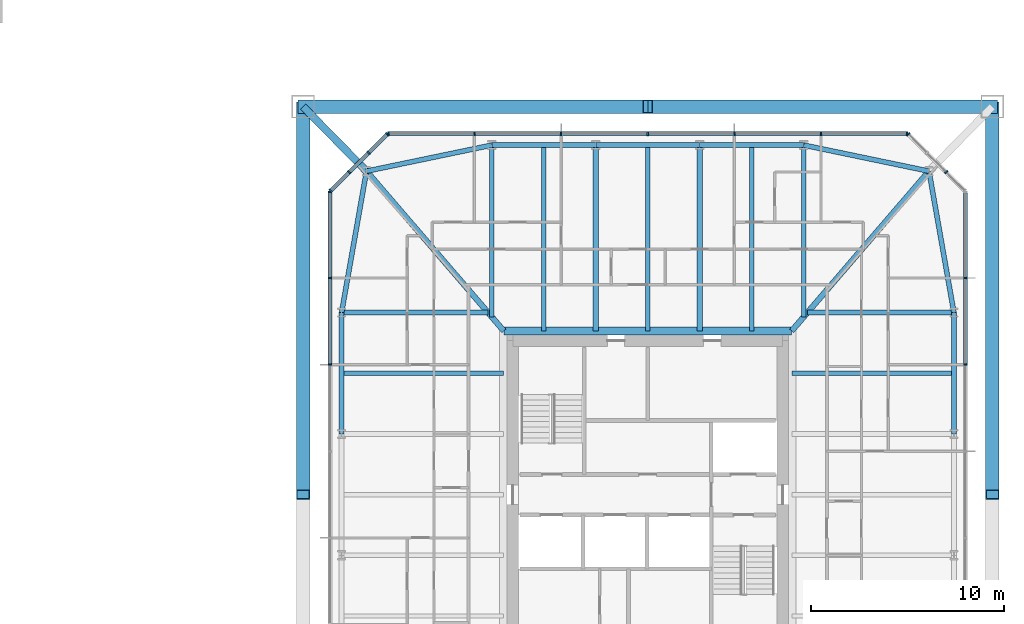
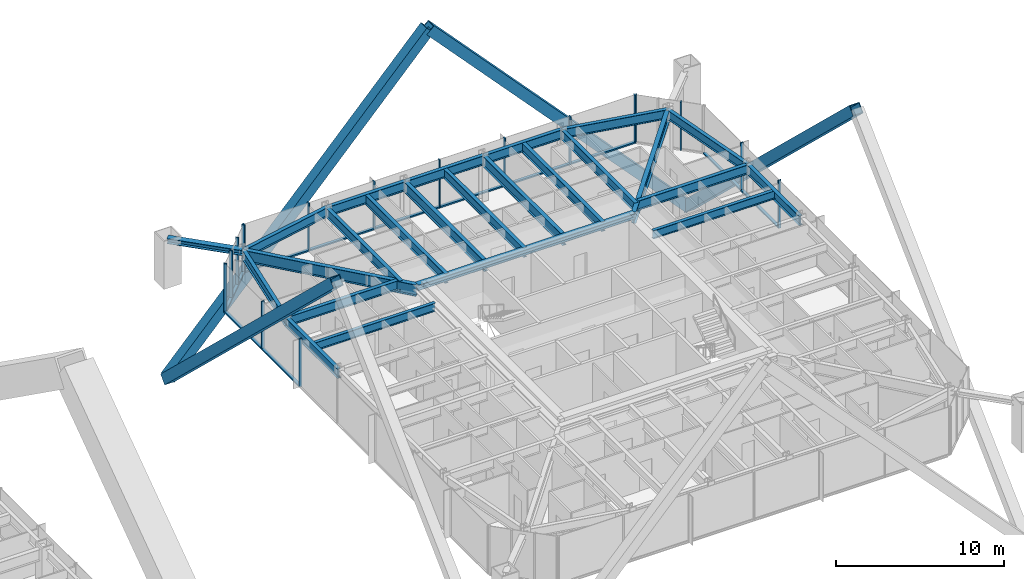
# One storey, part 12 of 28: 36 members, 23 beams, 5 elements without a shape of their own.
"""IFC4 building model written with IfcOpenShell, lengths in metres."""

from ifc_helpers import new_model, si_unit, direction, frame, origin, origin_2d, place, context, subcontext, project, spatial, rectangle, hollow_rectangle, i_section, extrude, material, material_profile, profile_set, type_object, element, aggregate, save


model = new_model("IFC4")

# Units and contexts
model_context = context("Model", 3, precision=1e-05, world=origin(), true_north=direction((0.0, 1.0)))
body_context = subcontext(model_context, "Body", "Model", "MODEL_VIEW")
ifc_project = project(units=[si_unit("LENGTHUNIT", "METRE"), si_unit("AREAUNIT", "SQUARE_METRE"), si_unit("VOLUMEUNIT", "CUBIC_METRE"), si_unit("PLANEANGLEUNIT", "RADIAN"), si_unit("MASSUNIT", "GRAM", prefix="KILO")], contexts=[model_context])

# Site, building, storey
site_placement = place(None, origin())
site = spatial("IfcSite", under=ifc_project, at=site_placement, CompositionType="ELEMENT")
building_placement = place(site_placement, origin())
building = spatial("IfcBuilding", under=site, at=building_placement, Name="Iwan Alto Co-Living Towers", CompositionType="ELEMENT")
storey_placement = place(building_placement, frame((0.0, 0.0, 43.0)))
storey = spatial("IfcBuildingStorey", under=building, at=storey_placement, Name="L11", CompositionType="ELEMENT", Elevation=43.0)

# Curtain wall, members
ifc_material_1 = material(Name="Bronze aluminium unitised frame", Category="aluminium")
curtain_wall_type_1 = type_object("IfcCurtainWallType", Name="CURTAIN WALL CW-C", PredefinedType="NOTDEFINED", material=ifc_material_1)
curtain_wall_1_placement = place(storey_placement, origin())
curtain_wall_1 = element("IfcCurtainWall", 1, at=curtain_wall_1_placement, inside=storey, type_object=curtain_wall_type_1, Name="T2 curtain wall E L11", PredefinedType="NOTDEFINED")
ifc_material_2 = material(Name="Aluminium 6063-T6 bronze anodised", Category="aluminium")
ifc_material_profile_1 = material_profile(ifc_material_2, rectangle(XDim=0.199951171875, YDim=0.080078125, at=origin_2d()), Name="AL 80X200")
ifc_profile_set_1 = profile_set([ifc_material_profile_1], Name="Aluminium 6063-T6 bronze anodised")
member_type_1 = type_object("IfcMemberType", Name="CW-C MULLION 80X200", PredefinedType="MULLION", material=ifc_profile_set_1)
member_1_placement = place(storey_placement, frame((79.5, 6.75, 0.0), z_axis=(0.0, 0.0, 1.0), x_axis=(-1.0, 0.0, 0.0)))
member_1 = element("IfcMember", 2, at=member_1_placement, type_object=member_type_1, Name="CW-C mullion 6", PredefinedType="MULLION", context=body_context, shape_type="SweptSolid", body=[
    extrude(rectangle(XDim=0.199951171875, YDim=0.080078125, at=origin_2d()), origin(), (0.0, 0.0, 1.0), 3.5),
])
member_2_placement = place(storey_placement, frame((79.5, 11.25, 0.0), z_axis=(0.0, 0.0, 1.0), x_axis=(-1.0, 0.0, 0.0)))
member_2 = element("IfcMember", 3, at=member_2_placement, type_object=member_type_1, Name="CW-C mullion 7", PredefinedType="MULLION", context=body_context, shape_type="SweptSolid", body=[
    extrude(rectangle(XDim=0.199951171875, YDim=0.080078125, at=origin_2d()), origin(), (0.0, 0.0, 1.0), 3.5),
])

curtain_wall_2_placement = place(storey_placement, origin())
curtain_wall_2 = element("IfcCurtainWall", 4, at=curtain_wall_2_placement, inside=storey, type_object=curtain_wall_type_1, Name="T2 curtain wall N L11", PredefinedType="NOTDEFINED")
member_3_placement = place(storey_placement, frame((76.4599609375, 18.75, 0.0), z_axis=(0.0, 0.0, 1.0), x_axis=(0.0, -1.0, 0.0)))
member_3 = element("IfcMember", 5, at=member_3_placement, type_object=member_type_1, Name="CW-C mullion 1", PredefinedType="MULLION", context=body_context, shape_type="SweptSolid", body=[
    extrude(rectangle(XDim=0.199951171875, YDim=0.080078125, at=origin_2d()), origin(), (0.0, 0.0, 1.0), 3.5),
])
member_4_placement = place(storey_placement, frame((72.0, 18.75, 0.0), z_axis=(0.0, 0.0, 1.0), x_axis=(0.0, -1.0, 0.0)))
member_4 = element("IfcMember", 6, at=member_4_placement, type_object=member_type_1, Name="CW-C mullion 2", PredefinedType="MULLION", context=body_context, shape_type="SweptSolid", body=[
    extrude(rectangle(XDim=0.199951171875, YDim=0.080078125, at=origin_2d()), origin(), (0.0, 0.0, 1.0), 3.5),
])
member_5_placement = place(storey_placement, frame((67.5, 18.75, 0.0), z_axis=(0.0, 0.0, 1.0), x_axis=(0.0, -1.0, 0.0)))
member_5 = element("IfcMember", 7, at=member_5_placement, type_object=member_type_1, Name="CW-C mullion 3", PredefinedType="MULLION", context=body_context, shape_type="SweptSolid", body=[
    extrude(rectangle(XDim=0.199951171875, YDim=0.080078125, at=origin_2d()), origin(), (0.0, 0.0, 1.0), 3.5),
])
member_6_placement = place(storey_placement, frame((63.0, 18.75, 0.0), z_axis=(0.0, 0.0, 1.0), x_axis=(0.0, -1.0, 0.0)))
member_6 = element("IfcMember", 8, at=member_6_placement, type_object=member_type_1, Name="CW-C mullion 4", PredefinedType="MULLION", context=body_context, shape_type="SweptSolid", body=[
    extrude(rectangle(XDim=0.199951171875, YDim=0.080078125, at=origin_2d()), origin(), (0.0, 0.0, 1.0), 3.5),
])
member_7_placement = place(storey_placement, frame((58.5, 18.75, 0.0), z_axis=(0.0, 0.0, 1.0), x_axis=(0.0, -1.0, 0.0)))
member_7 = element("IfcMember", 9, at=member_7_placement, type_object=member_type_1, Name="CW-C mullion 5", PredefinedType="MULLION", context=body_context, shape_type="SweptSolid", body=[
    extrude(rectangle(XDim=0.199951171875, YDim=0.080078125, at=origin_2d()), origin(), (0.0, 0.0, 1.0), 3.5),
])
member_8_placement = place(storey_placement, frame((54.0, 18.75, 0.0), z_axis=(0.0, 0.0, 1.0), x_axis=(0.0, -1.0, 0.0)))
member_8 = element("IfcMember", 10, at=member_8_placement, type_object=member_type_1, Name="CW-C mullion 6", PredefinedType="MULLION", context=body_context, shape_type="SweptSolid", body=[
    extrude(rectangle(XDim=0.199951171875, YDim=0.080078125, at=origin_2d()), origin(), (0.0, 0.0, 1.0), 3.5),
])
member_9_placement = place(storey_placement, frame((49.5400390625, 18.75, 0.0), z_axis=(0.0, 0.0, 1.0), x_axis=(0.0, -1.0, 0.0)))
member_9 = element("IfcMember", 11, at=member_9_placement, type_object=member_type_1, Name="CW-C mullion 7", PredefinedType="MULLION", context=body_context, shape_type="SweptSolid", body=[
    extrude(rectangle(XDim=0.199951171875, YDim=0.080078125, at=origin_2d()), origin(), (0.0, 0.0, 1.0), 3.5),
])

curtain_wall_3_placement = place(storey_placement, origin())
curtain_wall_3 = element("IfcCurtainWall", 12, at=curtain_wall_3_placement, inside=storey, type_object=curtain_wall_type_1, Name="T2 curtain wall W L11", PredefinedType="NOTDEFINED")
member_10_placement = place(storey_placement, frame((46.5, 15.7099609375, 0.0), z_axis=(0.0, 0.0, 1.0), x_axis=(1.0, 0.0, 0.0)))
member_10 = element("IfcMember", 13, at=member_10_placement, type_object=member_type_1, Name="CW-C mullion 1", PredefinedType="MULLION", context=body_context, shape_type="SweptSolid", body=[
    extrude(rectangle(XDim=0.199951171875, YDim=0.080078125, at=origin_2d()), origin(), (0.0, 0.0, 1.0), 3.5),
])
member_11_placement = place(storey_placement, frame((46.5, 11.25, 0.0), z_axis=(0.0, 0.0, 1.0), x_axis=(1.0, 0.0, 0.0)))
member_11 = element("IfcMember", 14, at=member_11_placement, type_object=member_type_1, Name="CW-C mullion 2", PredefinedType="MULLION", context=body_context, shape_type="SweptSolid", body=[
    extrude(rectangle(XDim=0.199951171875, YDim=0.080078125, at=origin_2d()), origin(), (0.0, 0.0, 1.0), 3.5),
])
member_12_placement = place(storey_placement, frame((46.5, 6.75, 0.0), z_axis=(0.0, 0.0, 1.0), x_axis=(1.0, 0.0, 0.0)))
member_12 = element("IfcMember", 15, at=member_12_placement, type_object=member_type_1, Name="CW-C mullion 3", PredefinedType="MULLION", context=body_context, shape_type="SweptSolid", body=[
    extrude(rectangle(XDim=0.199951171875, YDim=0.080078125, at=origin_2d()), origin(), (0.0, 0.0, 1.0), 3.5),
])

# Member
ifc_material_3 = material(Name="Aluminium 6063-T6 bronze anodised", Category="aluminium")
ifc_material_profile_2 = material_profile(ifc_material_3, rectangle(XDim=0.199951171875, YDim=0.10009765625, at=origin_2d()), Name="AL 200X100")
ifc_profile_set_2 = profile_set([ifc_material_profile_2], Name="Aluminium 6063-T6 bronze anodised")
member_type_2 = type_object("IfcMemberType", Name="CW-C TRANSOM 200X100", PredefinedType="USERDEFINED", material=ifc_profile_set_2)
member_13_placement = place(storey_placement, frame((79.5, 6.7900390625, 0.050048828125), z_axis=(0.0, 1.0, 0.0), x_axis=(-1.0, 0.0, 0.0)))
member_13 = element("IfcMember", 16, at=member_13_placement, type_object=member_type_2, Name="CW-C transom 6.1", ObjectType="TRANSOM", PredefinedType="USERDEFINED", context=body_context, shape_type="SweptSolid", body=[
    extrude(rectangle(XDim=0.199951171875, YDim=0.10009765625, at=origin_2d()), origin(), (0.0, 0.0, 1.0), 4.419921875),
])

member_14_placement = place(storey_placement, frame((79.5, 11.2900390625, 0.050048828125), z_axis=(0.0, 1.0, 0.0), x_axis=(-1.0, 0.0, 0.0)))
member_14 = element("IfcMember", 17, at=member_14_placement, type_object=member_type_2, Name="CW-C transom 7.1", ObjectType="TRANSOM", PredefinedType="USERDEFINED", context=body_context, shape_type="SweptSolid", body=[
    extrude(rectangle(XDim=0.199951171875, YDim=0.10009765625, at=origin_2d()), origin(), (0.0, 0.0, 1.0), 4.3798828125),
])

aggregate(curtain_wall_1, [member_1, member_2, member_13, member_14])

member_15_placement = place(storey_placement, frame((76.419921875, 18.75, 0.050048828125), z_axis=(-1.0, 0.0, 0.0), x_axis=(0.0, -1.0, 0.0)))
member_15 = element("IfcMember", 18, at=member_15_placement, type_object=member_type_2, Name="CW-C transom 1.1", ObjectType="TRANSOM", PredefinedType="USERDEFINED", context=body_context, shape_type="SweptSolid", body=[
    extrude(rectangle(XDim=0.199951171875, YDim=0.10009765625, at=origin_2d()), origin(), (0.0, 0.0, 1.0), 4.3798828125),
])

member_16_placement = place(storey_placement, frame((71.9599609375, 18.75, 0.050048828125), z_axis=(-1.0, 0.0, 0.0), x_axis=(0.0, -1.0, 0.0)))
member_16 = element("IfcMember", 19, at=member_16_placement, type_object=member_type_2, Name="CW-C transom 2.1", ObjectType="TRANSOM", PredefinedType="USERDEFINED", context=body_context, shape_type="SweptSolid", body=[
    extrude(rectangle(XDim=0.199951171875, YDim=0.10009765625, at=origin_2d()), origin(), (0.0, 0.0, 1.0), 4.419921875),
])

member_17_placement = place(storey_placement, frame((67.4599609375, 18.75, 0.050048828125), z_axis=(-1.0, 0.0, 0.0), x_axis=(0.0, -1.0, 0.0)))
member_17 = element("IfcMember", 20, at=member_17_placement, type_object=member_type_2, Name="CW-C transom 3.1", ObjectType="TRANSOM", PredefinedType="USERDEFINED", context=body_context, shape_type="SweptSolid", body=[
    extrude(rectangle(XDim=0.199951171875, YDim=0.10009765625, at=origin_2d()), origin(), (0.0, 0.0, 1.0), 4.419921875),
])

member_18_placement = place(storey_placement, frame((62.9599609375, 18.75, 0.050048828125), z_axis=(-1.0, 0.0, 0.0), x_axis=(0.0, -1.0, 0.0)))
member_18 = element("IfcMember", 21, at=member_18_placement, type_object=member_type_2, Name="CW-C transom 4.1", ObjectType="TRANSOM", PredefinedType="USERDEFINED", context=body_context, shape_type="SweptSolid", body=[
    extrude(rectangle(XDim=0.199951171875, YDim=0.10009765625, at=origin_2d()), origin(), (0.0, 0.0, 1.0), 4.419921875),
])

member_19_placement = place(storey_placement, frame((58.4599609375, 18.75, 0.050048828125), z_axis=(-1.0, 0.0, 0.0), x_axis=(0.0, -1.0, 0.0)))
member_19 = element("IfcMember", 22, at=member_19_placement, type_object=member_type_2, Name="CW-C transom 5.1", ObjectType="TRANSOM", PredefinedType="USERDEFINED", context=body_context, shape_type="SweptSolid", body=[
    extrude(rectangle(XDim=0.199951171875, YDim=0.10009765625, at=origin_2d()), origin(), (0.0, 0.0, 1.0), 4.419921875),
])

member_20_placement = place(storey_placement, frame((53.9599609375, 18.75, 0.050048828125), z_axis=(-1.0, 0.0, 0.0), x_axis=(0.0, -1.0, 0.0)))
member_20 = element("IfcMember", 23, at=member_20_placement, type_object=member_type_2, Name="CW-C transom 6.1", ObjectType="TRANSOM", PredefinedType="USERDEFINED", context=body_context, shape_type="SweptSolid", body=[
    extrude(rectangle(XDim=0.199951171875, YDim=0.10009765625, at=origin_2d()), origin(), (0.0, 0.0, 1.0), 4.3798828125),
])

aggregate(curtain_wall_2, [member_3, member_4, member_5, member_6, member_7, member_8, member_9, member_15, member_16, member_17, member_18, member_19, member_20])

member_21_placement = place(storey_placement, frame((46.5, 15.669921875, 0.050048828125), z_axis=(0.0, -1.0, 0.0), x_axis=(1.0, 0.0, 0.0)))
member_21 = element("IfcMember", 24, at=member_21_placement, type_object=member_type_2, Name="CW-C transom 1.1", ObjectType="TRANSOM", PredefinedType="USERDEFINED", context=body_context, shape_type="SweptSolid", body=[
    extrude(rectangle(XDim=0.199951171875, YDim=0.10009765625, at=origin_2d()), origin(), (0.0, 0.0, 1.0), 4.3798828125),
])

member_22_placement = place(storey_placement, frame((46.5, 11.2099609375, 0.050048828125), z_axis=(0.0, -1.0, 0.0), x_axis=(1.0, 0.0, 0.0)))
member_22 = element("IfcMember", 25, at=member_22_placement, type_object=member_type_2, Name="CW-C transom 2.1", ObjectType="TRANSOM", PredefinedType="USERDEFINED", context=body_context, shape_type="SweptSolid", body=[
    extrude(rectangle(XDim=0.199951171875, YDim=0.10009765625, at=origin_2d()), origin(), (0.0, 0.0, 1.0), 4.419921875),
])

aggregate(curtain_wall_3, [member_10, member_11, member_12, member_21, member_22])

# Curtain wall, members
ifc_material_4 = material(Name="Bronze aluminium unitised frame", Category="aluminium")
curtain_wall_type_2 = type_object("IfcCurtainWallType", Name="CURTAIN WALL CW-D", PredefinedType="NOTDEFINED", material=ifc_material_4)
curtain_wall_4_placement = place(storey_placement, origin())
curtain_wall_4 = element("IfcCurtainWall", 26, at=curtain_wall_4_placement, inside=storey, type_object=curtain_wall_type_2, Name="T2 chamfer curtain wall NE L11", PredefinedType="NOTDEFINED")
ifc_material_5 = material(Name="Aluminium 6063-T6 bronze anodised", Category="aluminium")
ifc_material_profile_3 = material_profile(ifc_material_5, rectangle(XDim=0.199951171875, YDim=0.080078125, at=origin_2d()), Name="AL 80X200")
ifc_profile_set_3 = profile_set([ifc_material_profile_3], Name="Aluminium 6063-T6 bronze anodised")
member_type_3 = type_object("IfcMemberType", Name="CW-D MULLION 80X200", PredefinedType="MULLION", material=ifc_profile_set_3)
member_23_placement = place(storey_placement, frame((78.5, 16.75, 0.0), z_axis=(0.0, 0.0, 1.0), x_axis=(-0.707106781187, -0.707106781187, 0.0)))
member_23 = element("IfcMember", 27, at=member_23_placement, type_object=member_type_3, Name="CW-D mullion 2", PredefinedType="MULLION", context=body_context, shape_type="SweptSolid", body=[
    extrude(rectangle(XDim=0.199951171875, YDim=0.080078125, at=origin_2d()), origin(), (0.0, 0.0, 1.0), 3.5),
])
member_24_placement = place(storey_placement, frame((76.5283203125, 18.7216796875, 0.0), z_axis=(0.0, 0.0, 1.0), x_axis=(-0.707106781187, -0.707106781187, 0.0)))
member_24 = element("IfcMember", 28, at=member_24_placement, type_object=member_type_3, Name="CW-D mullion 4", PredefinedType="MULLION", context=body_context, shape_type="SweptSolid", body=[
    extrude(rectangle(XDim=0.199951171875, YDim=0.080078125, at=origin_2d()), origin(), (0.0, 0.0, 1.0), 3.5),
])
aggregate(curtain_wall_4, [member_23, member_24])

curtain_wall_5_placement = place(storey_placement, origin())
curtain_wall_5 = element("IfcCurtainWall", 29, at=curtain_wall_5_placement, inside=storey, type_object=curtain_wall_type_2, Name="T2 chamfer curtain wall NW L11", PredefinedType="NOTDEFINED")
member_25_placement = place(storey_placement, frame((49.4716796875, 18.7216796875, 0.0), z_axis=(0.0, 0.0, 1.0), x_axis=(0.707106781187, -0.707106781187, 0.0)))
member_25 = element("IfcMember", 30, at=member_25_placement, type_object=member_type_3, Name="CW-D mullion 1", PredefinedType="MULLION", context=body_context, shape_type="SweptSolid", body=[
    extrude(rectangle(XDim=0.199951171875, YDim=0.080078125, at=origin_2d()), origin(), (0.0, 0.0, 1.0), 3.5),
])
member_26_placement = place(storey_placement, frame((48.5, 17.75, 0.0), z_axis=(0.0, 0.0, 1.0), x_axis=(0.707106781187, -0.707106781187, 0.0)))
member_26 = element("IfcMember", 31, at=member_26_placement, type_object=member_type_3, Name="CW-D mullion 2", PredefinedType="MULLION", context=body_context, shape_type="SweptSolid", body=[
    extrude(rectangle(XDim=0.199951171875, YDim=0.080078125, at=origin_2d()), origin(), (0.0, 0.0, 1.0), 3.5),
])
member_27_placement = place(storey_placement, frame((47.5, 16.75, 0.0), z_axis=(0.0, 0.0, 1.0), x_axis=(0.707106781187, -0.707106781187, 0.0)))
member_27 = element("IfcMember", 32, at=member_27_placement, type_object=member_type_3, Name="CW-D mullion 3", PredefinedType="MULLION", context=body_context, shape_type="SweptSolid", body=[
    extrude(rectangle(XDim=0.199951171875, YDim=0.080078125, at=origin_2d()), origin(), (0.0, 0.0, 1.0), 3.5),
])
member_28_placement = place(storey_placement, frame((46.5283203125, 15.7783203125, 0.0), z_axis=(0.0, 0.0, 1.0), x_axis=(0.707106781187, -0.707106781187, 0.0)))
member_28 = element("IfcMember", 33, at=member_28_placement, type_object=member_type_3, Name="CW-D mullion 4", PredefinedType="MULLION", context=body_context, shape_type="SweptSolid", body=[
    extrude(rectangle(XDim=0.199951171875, YDim=0.080078125, at=origin_2d()), origin(), (0.0, 0.0, 1.0), 3.5),
])
ifc_material_6 = material(Name="Aluminium 6063-T6 bronze anodised", Category="aluminium")
ifc_material_profile_4 = material_profile(ifc_material_6, rectangle(XDim=0.199951171875, YDim=0.10009765625, at=origin_2d()), Name="AL 200X100")
ifc_profile_set_4 = profile_set([ifc_material_profile_4], Name="Aluminium 6063-T6 bronze anodised")
member_type_4 = type_object("IfcMemberType", Name="CW-D TRANSOM 200X100", PredefinedType="USERDEFINED", material=ifc_profile_set_4)
member_29_placement = place(storey_placement, frame((49.443359375, 18.693359375, 0.050048828125), z_axis=(-0.707106781187, -0.707106781187, 0.0), x_axis=(0.707106781187, -0.707106781187, 0.0)))
member_29 = element("IfcMember", 34, at=member_29_placement, type_object=member_type_4, Name="CW-D transom 1.1", ObjectType="TRANSOM", PredefinedType="USERDEFINED", context=body_context, shape_type="SweptSolid", body=[
    extrude(rectangle(XDim=0.199951171875, YDim=0.10009765625, at=origin_2d()), origin(), (0.0, 0.0, 1.0), 1.2939453125),
])
member_30_placement = place(storey_placement, frame((48.4716796875, 17.7216796875, 0.050048828125), z_axis=(-0.707106781187, -0.707106781187, 0.0), x_axis=(0.707106781187, -0.707106781187, 0.0)))
member_30 = element("IfcMember", 35, at=member_30_placement, type_object=member_type_4, Name="CW-D transom 2.1", ObjectType="TRANSOM", PredefinedType="USERDEFINED", context=body_context, shape_type="SweptSolid", body=[
    extrude(rectangle(XDim=0.199951171875, YDim=0.10009765625, at=origin_2d()), origin(), (0.0, 0.0, 1.0), 1.334228515625),
])
member_31_placement = place(storey_placement, frame((47.4716796875, 16.7216796875, 0.050048828125), z_axis=(-0.707106781187, -0.707106781187, 0.0), x_axis=(0.707106781187, -0.707106781187, 0.0)))
member_31 = element("IfcMember", 36, at=member_31_placement, type_object=member_type_4, Name="CW-D transom 3.1", ObjectType="TRANSOM", PredefinedType="USERDEFINED", context=body_context, shape_type="SweptSolid", body=[
    extrude(rectangle(XDim=0.199951171875, YDim=0.10009765625, at=origin_2d()), origin(), (0.0, 0.0, 1.0), 1.2939453125),
])
aggregate(curtain_wall_5, [member_25, member_26, member_27, member_28, member_29, member_30, member_31])

# Beams
ifc_material_7 = material(Name="Steel ASTM A992 Gr 50", Category="steel")
ifc_material_profile_5 = material_profile(ifc_material_7, i_section(OverallWidth=0.40380859375, OverallDepth=0.406494140625, WebThickness=0.027099609375, FlangeThickness=0.043701171875, at=origin_2d()), Name="W14X233")
ifc_profile_set_5 = profile_set([ifc_material_profile_5], Name="Steel ASTM A992 Gr 50")
beam_type_1 = type_object("IfcBeamType", Name="T2 CORE LEDGER BEAM W14X233", PredefinedType="BEAM", material=ifc_profile_set_5)
beam_1_placement = place(storey_placement, frame((70.4736328125, 8.501953125, 3.06689453125), z_axis=(-1.0, 0.0, 0.0), x_axis=(0.0, -1.0, 0.0)))
element("IfcBeam", 37, at=beam_1_placement, inside=storey, type_object=beam_type_1, Name="T2 core ledger beam N L12", PredefinedType="BEAM", context=body_context, shape_type="SweptSolid", body=[
    extrude(i_section(OverallWidth=0.40380859375, OverallDepth=0.406494140625, WebThickness=0.027099609375, FlangeThickness=0.043701171875, at=origin_2d()), origin(), (0.0, 0.0, 1.0), 14.947265625),
])
ifc_material_8 = material(Name="Steel ASTM A992 Gr 50", Category="steel")
ifc_material_profile_6 = material_profile(ifc_material_8, i_section(OverallWidth=0.2919921875, OverallDepth=0.8408203125, WebThickness=0.0146484375, FlangeThickness=0.021728515625, at=origin_2d()), Name="W33X130")
ifc_profile_set_6 = profile_set([ifc_material_profile_6], Name="Steel ASTM A992 Gr 50")
beam_type_2 = type_object("IfcBeamType", Name="T2 CORNER GIRDER W33X130", PredefinedType="BEAM", material=ifc_profile_set_6)
for number, where, z_axis, x_axis, name in (
    (38, (77.606201171875, 16.797119140625, 2.849609375), (-0.651972301827, -0.758242782788, 0.0), (0.758242782788, -0.651972301827, 0.0), "T2 corner girder CNE L12"),
    (39, (48.393798828125, 16.797119140625, 2.849609375), (0.651972301827, -0.758242782788, 0.0), (0.758242782788, 0.651972301827, 0.0), "T2 corner girder CNW L12"),
):
    element("IfcBeam", number, at=place(storey_placement, frame(where, z_axis=z_axis, x_axis=x_axis)), inside=storey, type_object=beam_type_2, Name=name, PredefinedType="BEAM", context=body_context, shape_type="SweptSolid", body=[
        extrude(i_section(OverallWidth=0.2919921875, OverallDepth=0.8408203125, WebThickness=0.0146484375, FlangeThickness=0.021728515625, at=origin_2d()), origin(), (0.0, 0.0, 1.0), 10.93994140625),
    ])
ifc_material_9 = material(Name="Steel ASTM A992 Gr 50", Category="steel")
ifc_material_profile_7 = material_profile(ifc_material_9, i_section(OverallWidth=0.25390625, OverallDepth=0.683349609375, WebThickness=0.012451171875, FlangeThickness=0.018798828125, at=origin_2d()), Name="W27X94")
ifc_profile_set_7 = profile_set([ifc_material_profile_7], Name="Steel ASTM A992 Gr 50")
beam_type_3 = type_object("IfcBeamType", Name="T2 EDGE BEAM W27X94", PredefinedType="BEAM", material=ifc_profile_set_7)
beam_2_placement = place(storey_placement, frame((78.89990234375, 3.14990234375, 2.928466796875), z_axis=(0.0, 1.0, 0.0), x_axis=(-1.0, 0.0, 0.0)))
element("IfcBeam", 40, at=beam_2_placement, inside=storey, type_object=beam_type_3, Name="T2 edge beam E3 L12", PredefinedType="BEAM", context=body_context, shape_type="SweptSolid", body=[
    extrude(i_section(OverallWidth=0.25390625, OverallDepth=0.683349609375, WebThickness=0.012451171875, FlangeThickness=0.018798828125, at=origin_2d()), origin(), (0.0, 0.0, 1.0), 6.300048828125),
])
beam_3_placement = place(storey_placement, frame((78.89990234375, 9.449951171875, 2.928466796875), z_axis=(-0.173413807283, 0.98484905008, 0.0), x_axis=(-0.98484905008, -0.173413807283, 0.0)))
element("IfcBeam", 41, at=beam_3_placement, inside=storey, type_object=beam_type_3, Name="T2 edge beam E4 L12", PredefinedType="BEAM", context=body_context, shape_type="SweptSolid", body=[
    extrude(i_section(OverallWidth=0.25390625, OverallDepth=0.683349609375, WebThickness=0.012451171875, FlangeThickness=0.018798828125, at=origin_2d()), origin(), (0.0, 0.0, 1.0), 7.460205078125),
])
beam_4_placement = place(storey_placement, frame((77.606201171875, 16.797119140625, 2.928466796875), z_axis=(-0.979060119423, 0.203571320564, 0.0), x_axis=(-0.203571320564, -0.979060119423, 0.0)))
element("IfcBeam", 42, at=beam_4_placement, inside=storey, type_object=beam_type_3, Name="T2 edge beam CNE L12", PredefinedType="BEAM", context=body_context, shape_type="SweptSolid", body=[
    extrude(i_section(OverallWidth=0.25390625, OverallDepth=0.683349609375, WebThickness=0.012451171875, FlangeThickness=0.018798828125, at=origin_2d()), origin(), (0.0, 0.0, 1.0), 6.645263671875),
])
beam_5_placement = place(storey_placement, frame((71.10009765625, 18.14990234375, 2.928466796875), z_axis=(-1.0, 0.0, 0.0), x_axis=(0.0, -1.0, 0.0)))
element("IfcBeam", 43, at=beam_5_placement, inside=storey, type_object=beam_type_3, Name="T2 edge beam N1 L12", PredefinedType="BEAM", context=body_context, shape_type="SweptSolid", body=[
    extrude(i_section(OverallWidth=0.25390625, OverallDepth=0.683349609375, WebThickness=0.012451171875, FlangeThickness=0.018798828125, at=origin_2d()), origin(), (0.0, 0.0, 1.0), 5.400146484375),
])
beam_6_placement = place(storey_placement, frame((65.699951171875, 18.14990234375, 2.928466796875), z_axis=(-1.0, 0.0, 0.0), x_axis=(0.0, -1.0, 0.0)))
element("IfcBeam", 44, at=beam_6_placement, inside=storey, type_object=beam_type_3, Name="T2 edge beam N2 L12", PredefinedType="BEAM", context=body_context, shape_type="SweptSolid", body=[
    extrude(i_section(OverallWidth=0.25390625, OverallDepth=0.683349609375, WebThickness=0.012451171875, FlangeThickness=0.018798828125, at=origin_2d()), origin(), (0.0, 0.0, 1.0), 5.39990234375),
])
beam_7_placement = place(storey_placement, frame((60.300048828125, 18.14990234375, 2.928466796875), z_axis=(-1.0, 0.0, 0.0), x_axis=(0.0, -1.0, 0.0)))
element("IfcBeam", 45, at=beam_7_placement, inside=storey, type_object=beam_type_3, Name="T2 edge beam N3 L12", PredefinedType="BEAM", context=body_context, shape_type="SweptSolid", body=[
    extrude(i_section(OverallWidth=0.25390625, OverallDepth=0.683349609375, WebThickness=0.012451171875, FlangeThickness=0.018798828125, at=origin_2d()), origin(), (0.0, 0.0, 1.0), 5.400146484375),
])
beam_8_placement = place(storey_placement, frame((54.89990234375, 18.14990234375, 2.928466796875), z_axis=(-0.979060119423, -0.203571320564, 0.0), x_axis=(0.203571320564, -0.979060119423, 0.0)))
element("IfcBeam", 46, at=beam_8_placement, inside=storey, type_object=beam_type_3, Name="T2 edge beam N4 L12", PredefinedType="BEAM", context=body_context, shape_type="SweptSolid", body=[
    extrude(i_section(OverallWidth=0.25390625, OverallDepth=0.683349609375, WebThickness=0.012451171875, FlangeThickness=0.018798828125, at=origin_2d()), origin(), (0.0, 0.0, 1.0), 6.645263671875),
])
beam_9_placement = place(storey_placement, frame((48.393798828125, 16.797119140625, 2.928466796875), z_axis=(-0.173413807283, -0.98484905008, 0.0), x_axis=(0.98484905008, -0.173413807283, 0.0)))
element("IfcBeam", 47, at=beam_9_placement, inside=storey, type_object=beam_type_3, Name="T2 edge beam CNW L12", PredefinedType="BEAM", context=body_context, shape_type="SweptSolid", body=[
    extrude(i_section(OverallWidth=0.25390625, OverallDepth=0.683349609375, WebThickness=0.012451171875, FlangeThickness=0.018798828125, at=origin_2d()), origin(), (0.0, 0.0, 1.0), 7.460205078125),
])
beam_10_placement = place(storey_placement, frame((47.10009765625, 9.449951171875, 2.928466796875), z_axis=(0.0, -1.0, 0.0), x_axis=(1.0, 0.0, 0.0)))
element("IfcBeam", 48, at=beam_10_placement, inside=storey, type_object=beam_type_3, Name="T2 edge beam W1 L12", PredefinedType="BEAM", context=body_context, shape_type="SweptSolid", body=[
    extrude(i_section(OverallWidth=0.25390625, OverallDepth=0.683349609375, WebThickness=0.012451171875, FlangeThickness=0.018798828125, at=origin_2d()), origin(), (0.0, 0.0, 1.0), 6.300048828125),
])

# Members
ifc_material_10 = material(Name="Steel ASTM A572 Gr 50", Category="steel")
ifc_material_profile_8 = material_profile(ifc_material_10, hollow_rectangle(XDim=0.699951171875, YDim=0.699951171875, WallThickness=0.044921875, at=origin_2d()), Name="BOX 700X700X45")
ifc_profile_set_8 = profile_set([ifc_material_profile_8], Name="Steel ASTM A572 Gr 50")
member_type_5 = type_object("IfcMemberType", Name="T2 MEGA BRACE BOX 700X700X45", PredefinedType="BRACE", material=ifc_profile_set_8)
member_32_placement = place(storey_placement, frame((80.89990234375, 20.14990234375, -7.0), z_axis=(0.0, -0.72306867492, 0.690776151405), x_axis=(1.0, 0.0, 0.0)))
element("IfcMember", 49, at=member_32_placement, inside=storey, type_object=member_type_5, Name="T2 mega brace Z1B E 2 lower", PredefinedType="BRACE", context=body_context, shape_type="SweptSolid", body=[
    extrude(hollow_rectangle(XDim=0.699951171875, YDim=0.699951171875, WallThickness=0.044921875, at=origin_2d()), origin(), (0.0, 0.0, 1.0), 27.8671875),
])
for number, where, z_axis, x_axis, name in (
    (50, (80.89990234375, 20.14990234375, -7.0), (-0.680959649938, 0.0, 0.732320937264), (0.0, -1.0, 0.0), "T2 mega brace Z1B N 1 lower"),
    (51, (45.10009765625, 20.14990234375, -7.0), (0.680959649938, 0.0, 0.732320937264), (0.0, 1.0, 0.0), "T2 mega brace Z1B N 2 lower"),
):
    element("IfcMember", number, at=place(storey_placement, frame(where, z_axis=z_axis, x_axis=x_axis)), inside=storey, type_object=member_type_5, Name=name, PredefinedType="BRACE", context=body_context, shape_type="SweptSolid", body=[
        extrude(hollow_rectangle(XDim=0.699951171875, YDim=0.699951171875, WallThickness=0.044921875, at=origin_2d()), origin(), (0.0, 0.0, 1.0), 26.286376953125),
    ])
member_33_placement = place(storey_placement, frame((45.10009765625, 20.14990234375, -7.0), z_axis=(0.0, -0.72306867492, 0.690776151405), x_axis=(1.0, 0.0, 0.0)))
element("IfcMember", 52, at=member_33_placement, inside=storey, type_object=member_type_5, Name="T2 mega brace Z1B W 1 lower", PredefinedType="BRACE", context=body_context, shape_type="SweptSolid", body=[
    extrude(hollow_rectangle(XDim=0.699951171875, YDim=0.699951171875, WallThickness=0.044921875, at=origin_2d()), origin(), (0.0, 0.0, 1.0), 27.8671875),
])
ifc_material_11 = material(Name="Steel ASTM A992 Gr 50", Category="steel")
ifc_material_profile_9 = material_profile(ifc_material_11, i_section(OverallWidth=0.393798828125, OverallDepth=0.3759765625, WebThickness=0.017333984375, FlangeThickness=0.027587890625, at=origin_2d()), Name="W14X145")
ifc_profile_set_9 = profile_set([ifc_material_profile_9], Name="Steel ASTM A992 Gr 50")
member_type_6 = type_object("IfcMemberType", Name="T2 MEGA COLUMN FLOOR TIE W14X145", PredefinedType="STRUT", material=ifc_profile_set_9)
member_34_placement = place(storey_placement, frame((45.10009765625, 20.14990234375, 3.08203125), z_axis=(0.700793469544, -0.71336422187, 0.0), x_axis=(0.71336422187, 0.700793469544, 0.0)))
element("IfcMember", 53, at=member_34_placement, inside=storey, type_object=member_type_6, Name="T2 mega column floor tie NW L12", PredefinedType="STRUT", context=body_context, shape_type="SweptSolid", body=[
    extrude(i_section(OverallWidth=0.393798828125, OverallDepth=0.3759765625, WebThickness=0.017333984375, FlangeThickness=0.027587890625, at=origin_2d()), origin(), (0.0, 0.0, 1.0), 4.699951171875),
])

# Beams
ifc_material_12 = material(Name="Steel ASTM A992 Gr 50", Category="steel")
ifc_material_profile_10 = material_profile(ifc_material_12, i_section(OverallWidth=0.25390625, OverallDepth=0.683349609375, WebThickness=0.012451171875, FlangeThickness=0.018798828125, at=origin_2d()), Name="W27X94")
ifc_profile_set_10 = profile_set([ifc_material_profile_10], Name="Steel ASTM A992 Gr 50")
beam_type_4 = type_object("IfcBeamType", Name="T2 RADIAL BEAM W27X94", PredefinedType="BEAM", material=ifc_profile_set_10)
beam_11_placement = place(storey_placement, frame((78.89990234375, 9.449951171875, 2.928466796875), z_axis=(-1.0, 0.0, 0.0), x_axis=(0.0, -1.0, 0.0)))
element("IfcBeam", 54, at=beam_11_placement, inside=storey, type_object=beam_type_4, Name="T2 radial beam E4 L12", PredefinedType="BEAM", context=body_context, shape_type="SweptSolid", body=[
    extrude(i_section(OverallWidth=0.25390625, OverallDepth=0.683349609375, WebThickness=0.012451171875, FlangeThickness=0.018798828125, at=origin_2d()), origin(), (0.0, 0.0, 1.0), 7.611083984375),
])
for number, where, z_axis, x_axis, name in (
    (55, (71.10009765625, 18.14990234375, 2.928466796875), (0.0, -1.0, 0.0), (1.0, 0.0, 0.0), "T2 radial beam N1 L12"),
    (56, (54.89990234375, 18.14990234375, 2.928466796875), (0.0, -1.0, 0.0), (1.0, 0.0, 0.0), "T2 radial beam N4 L12"),
):
    element("IfcBeam", number, at=place(storey_placement, frame(where, z_axis=z_axis, x_axis=x_axis)), inside=storey, type_object=beam_type_4, Name=name, PredefinedType="BEAM", context=body_context, shape_type="SweptSolid", body=[
        extrude(i_section(OverallWidth=0.25390625, OverallDepth=0.683349609375, WebThickness=0.012451171875, FlangeThickness=0.018798828125, at=origin_2d()), origin(), (0.0, 0.0, 1.0), 8.91943359375),
    ])
beam_12_placement = place(storey_placement, frame((47.10009765625, 9.449951171875, 2.928466796875), z_axis=(1.0, 0.0, 0.0), x_axis=(0.0, 1.0, 0.0)))
element("IfcBeam", 57, at=beam_12_placement, inside=storey, type_object=beam_type_4, Name="T2 radial beam W1 L12", PredefinedType="BEAM", context=body_context, shape_type="SweptSolid", body=[
    extrude(i_section(OverallWidth=0.25390625, OverallDepth=0.683349609375, WebThickness=0.012451171875, FlangeThickness=0.018798828125, at=origin_2d()), origin(), (0.0, 0.0, 1.0), 7.611083984375),
])
ifc_material_13 = material(Name="Steel ASTM A992 Gr 50", Category="steel")
ifc_material_profile_11 = material_profile(ifc_material_13, i_section(OverallWidth=0.2666015625, OverallDepth=0.761962890625, WebThickness=0.014404296875, FlangeThickness=0.021484375, at=origin_2d()), Name="W30X116")
ifc_profile_set_11 = profile_set([ifc_material_profile_11], Name="Steel ASTM A992 Gr 50")
beam_type_5 = type_object("IfcBeamType", Name="T2 RADIAL BEAM W30X116", PredefinedType="BEAM", material=ifc_profile_set_11)
for number, where, z_axis, x_axis, name in (
    (58, (65.699951171875, 18.14990234375, 2.888916015625), (0.0, -1.0, 0.0), (1.0, 0.0, 0.0), "T2 radial beam N2 L12"),
    (59, (60.300048828125, 18.14990234375, 2.888916015625), (0.0, -1.0, 0.0), (1.0, 0.0, 0.0), "T2 radial beam N3 L12"),
):
    element("IfcBeam", number, at=place(storey_placement, frame(where, z_axis=z_axis, x_axis=x_axis)), inside=storey, type_object=beam_type_5, Name=name, PredefinedType="BEAM", context=body_context, shape_type="SweptSolid", body=[
        extrude(i_section(OverallWidth=0.2666015625, OverallDepth=0.761962890625, WebThickness=0.014404296875, FlangeThickness=0.021484375, at=origin_2d()), origin(), (0.0, 0.0, 1.0), 9.64794921875),
    ])
ifc_material_14 = material(Name="Steel ASTM A992 Gr 50", Category="steel")
ifc_material_profile_12 = material_profile(ifc_material_14, i_section(OverallWidth=0.228271484375, OverallDepth=0.607177734375, WebThickness=0.01123046875, FlangeThickness=0.017333984375, at=origin_2d()), Name="W24X76")
ifc_profile_set_12 = profile_set([ifc_material_profile_12], Name="Steel ASTM A992 Gr 50")
beam_type_6 = type_object("IfcBeamType", Name="T2 SECONDARY BEAM W24X76", PredefinedType="JOIST", material=ifc_profile_set_12)
for number, where, z_axis, x_axis, name in (
    (60, (78.89990234375, 6.300048828125, 2.966552734375), (-1.0, 0.0, 0.0), (0.0, -1.0, 0.0), "T2 secondary beam E3 L12"),
    (61, (47.10009765625, 6.300048828125, 2.966552734375), (1.0, 0.0, 0.0), (0.0, 1.0, 0.0), "T2 secondary beam W1 L12"),
):
    element("IfcBeam", number, at=place(storey_placement, frame(where, z_axis=z_axis, x_axis=x_axis)), inside=storey, type_object=beam_type_6, Name=name, PredefinedType="JOIST", context=body_context, shape_type="SweptSolid", body=[
        extrude(i_section(OverallWidth=0.228271484375, OverallDepth=0.607177734375, WebThickness=0.01123046875, FlangeThickness=0.017333984375, at=origin_2d()), origin(), (0.0, 0.0, 1.0), 8.39794921875),
    ])
ifc_material_15 = material(Name="Steel ASTM A992 Gr 50", Category="steel")
ifc_material_profile_13 = material_profile(ifc_material_15, i_section(OverallWidth=0.25390625, OverallDepth=0.683349609375, WebThickness=0.012451171875, FlangeThickness=0.018798828125, at=origin_2d()), Name="W27X94")
ifc_profile_set_13 = profile_set([ifc_material_profile_13], Name="Steel ASTM A992 Gr 50")
beam_type_7 = type_object("IfcBeamType", Name="T2 SECONDARY BEAM W27X94", PredefinedType="JOIST", material=ifc_profile_set_13)
for number, where, z_axis, x_axis, name in (
    (62, (68.39990234375, 18.14990234375, 2.928466796875), (0.0, -1.0, 0.0), (1.0, 0.0, 0.0), "T2 secondary beam N1 L12"),
    (63, (63.0, 18.14990234375, 2.928466796875), (0.0, -1.0, 0.0), (1.0, 0.0, 0.0), "T2 secondary beam N2 L12"),
    (64, (57.60009765625, 18.14990234375, 2.928466796875), (0.0, -1.0, 0.0), (1.0, 0.0, 0.0), "T2 secondary beam N3 L12"),
):
    element("IfcBeam", number, at=place(storey_placement, frame(where, z_axis=z_axis, x_axis=x_axis)), inside=storey, type_object=beam_type_7, Name=name, PredefinedType="JOIST", context=body_context, shape_type="SweptSolid", body=[
        extrude(i_section(OverallWidth=0.25390625, OverallDepth=0.683349609375, WebThickness=0.012451171875, FlangeThickness=0.018798828125, at=origin_2d()), origin(), (0.0, 0.0, 1.0), 9.64794921875),
    ])

save(model, "model.ifc")
